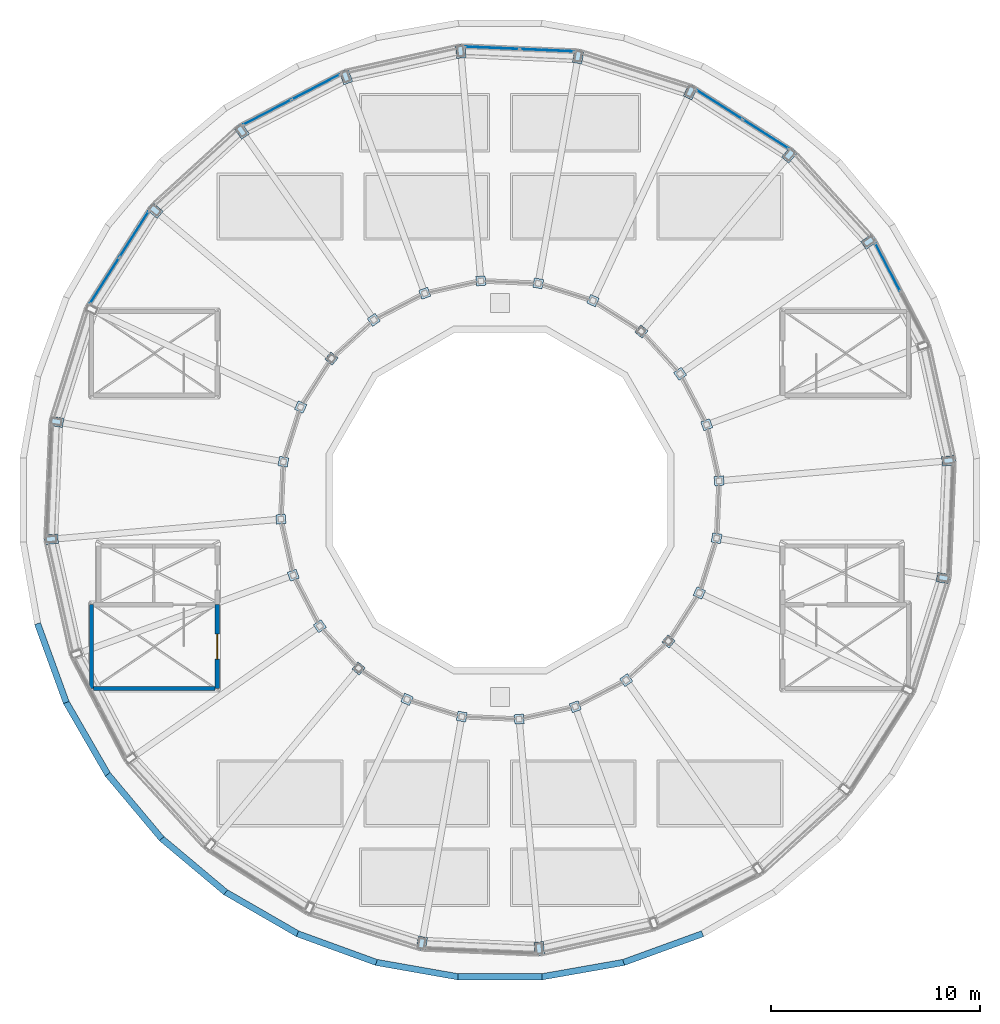
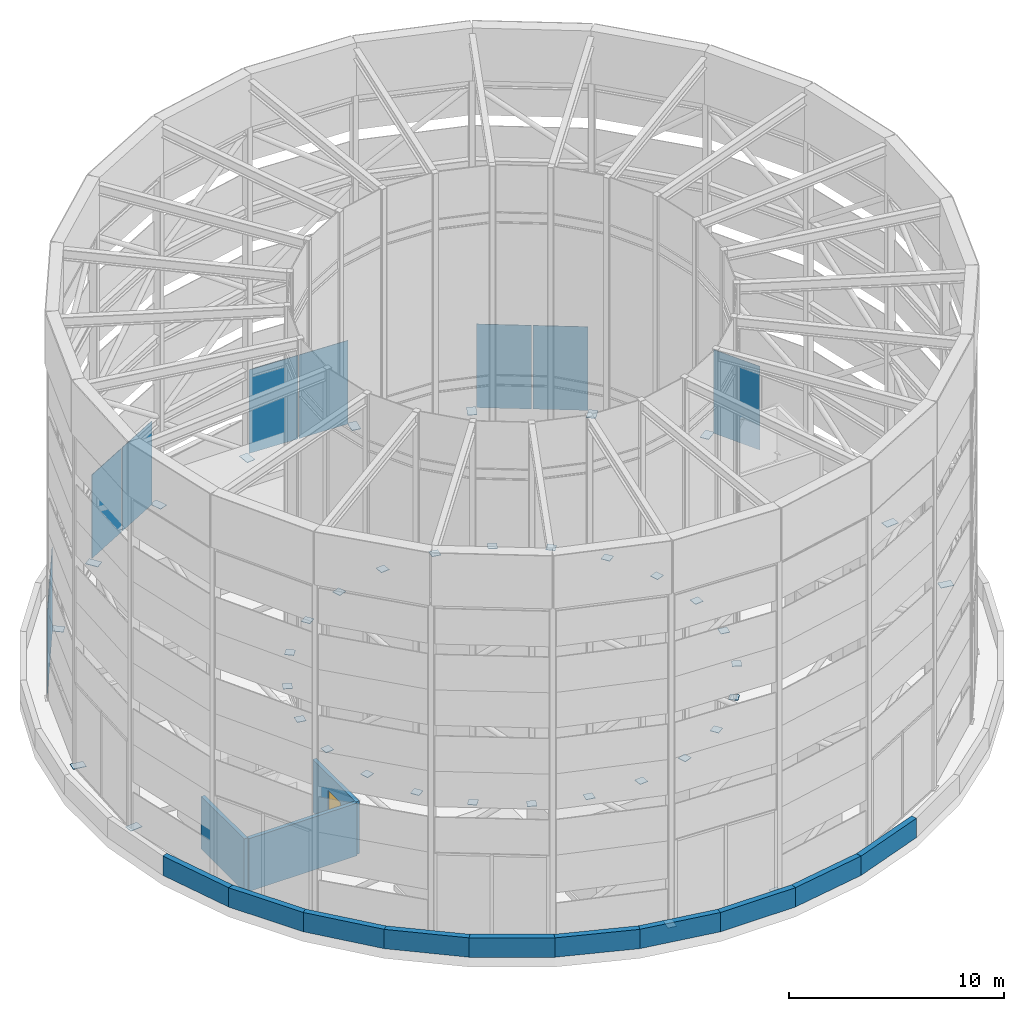
# One storey, part 14 of 20: 47 plates, 13 walls, 1 door, 1 opening, 5 elements without a shape of their own.
"""IFC4 building model written with IfcOpenShell, lengths in metres."""

from ifc_helpers import new_model, si_unit, direction, frame, frame_2d, origin, origin_2d, place, context, subcontext, project, spatial, polyline, rectangle, outline, extrude, material, layer, layer_set, type_object, element, fill, aggregate, save


model = new_model("IFC4")

# Units and contexts
model_context = context("Model", 3, precision=1e-05, world=origin(), true_north=direction((0.0, 1.0)))
body_context = subcontext(model_context, "Body", "Model", "MODEL_VIEW")
ifc_project = project(units=[si_unit("LENGTHUNIT", "METRE"), si_unit("AREAUNIT", "SQUARE_METRE"), si_unit("VOLUMEUNIT", "CUBIC_METRE"), si_unit("PLANEANGLEUNIT", "RADIAN"), si_unit("MASSUNIT", "GRAM", prefix="KILO")], contexts=[model_context])

# Site, building, storey
site_placement = place(None, origin())
site = spatial("IfcSite", under=ifc_project, at=site_placement, CompositionType="ELEMENT")
building_placement = place(site_placement, origin())
building = spatial("IfcBuilding", under=site, at=building_placement, Name="Saqina Gate Tower", CompositionType="ELEMENT")
storey_placement = place(building_placement, frame((0.0, 0.0, 284.199951171875)))
storey = spatial("IfcBuildingStorey", under=building, at=storey_placement, Name="RF", CompositionType="ELEMENT", Elevation=284.199951171875)

# Curtain wall, plate
ifc_material_1 = material(Name="Aluminium glazing", Category="aluminium")
ifc_layer_1 = layer(ifc_material_1, 0.159912109375)
ifc_layer_set_1 = layer_set([ifc_layer_1], Name="CWT-5")
curtain_wall_type = type_object("IfcCurtainWallType", Name="CWT-5", PredefinedType="NOTDEFINED", material=ifc_layer_set_1)
curtain_wall_1_placement = place(storey_placement, origin())
curtain_wall_1 = element("IfcCurtainWall", 1, at=curtain_wall_1_placement, inside=storey, type_object=curtain_wall_type, Name="Crown glazing bay 2", PredefinedType="NOTDEFINED")
ifc_material_2 = material(Name="Glass", Category="glass")
ifc_layer_2 = layer(ifc_material_2, 0.028076171875)
ifc_layer_set_2 = layer_set([ifc_layer_2], Name="CWT-5P")
plate_type_1 = type_object("IfcPlateType", Name="CWT-5P", PredefinedType="CURTAIN_PANEL", material=ifc_layer_set_2)
plate_1_placement = place(storey_placement, frame((18.50537109375, 11.11328125, 0.06005859375), z_axis=(0.0, 0.0, 1.0), x_axis=(-0.461751109849, 0.887009533519, 0.0)))
plate_1 = element("IfcPlate", 2, at=plate_1_placement, type_object=plate_type_1, Name="CW5-02 panel 2.1", PredefinedType="CURTAIN_PANEL", context=body_context, shape_type="SweptSolid", body=[
    extrude(rectangle(XDim=2.5654296875, YDim=0.028076171875, at=origin_2d()), origin(), (0.0, 0.0, 1.0), 4.7548828125),
])
aggregate(curtain_wall_1, [plate_1])

# Curtain wall, plates
curtain_wall_2_placement = place(storey_placement, origin())
curtain_wall_2 = element("IfcCurtainWall", 3, at=curtain_wall_2_placement, inside=storey, type_object=curtain_wall_type, Name="Crown glazing bay 4", PredefinedType="NOTDEFINED")
plate_2_placement = place(storey_placement, frame((12.683837890625, 17.466552734375, 0.06005859375), z_axis=(0.0, 0.0, 1.0), x_axis=(-0.843394662537, 0.537294559068, 0.0)))
plate_2 = element("IfcPlate", 4, at=plate_2_placement, type_object=plate_type_1, Name="CW5-04 panel 1.1", PredefinedType="CURTAIN_PANEL", context=body_context, shape_type="SweptSolid", body=[
    extrude(rectangle(XDim=2.5654296875, YDim=0.028076171875, at=origin_2d()), origin(), (0.0, 0.0, 1.0), 4.7548828125),
])
plate_3_placement = place(storey_placement, frame((10.469482421875, 18.877197265625, 0.06005859375), z_axis=(0.0, 0.0, 1.0), x_axis=(-0.843394662537, 0.537294559068, 0.0)))
plate_3 = element("IfcPlate", 5, at=plate_3_placement, type_object=plate_type_1, Name="CW5-04 panel 2.1", PredefinedType="CURTAIN_PANEL", context=body_context, shape_type="SweptSolid", body=[
    extrude(rectangle(XDim=2.5654296875, YDim=0.028076171875, at=origin_2d()), origin(), (0.0, 0.0, 1.0), 4.7548828125),
])
aggregate(curtain_wall_2, [plate_2, plate_3])

curtain_wall_3_placement = place(storey_placement, origin())
curtain_wall_3 = element("IfcCurtainWall", 6, at=curtain_wall_3_placement, inside=storey, type_object=curtain_wall_type, Name="Crown glazing bay 6", PredefinedType="NOTDEFINED")
plate_4_placement = place(storey_placement, frame((2.251220703125, 21.46826171875, 0.06005859375), z_axis=(0.0, 0.0, 1.0), x_axis=(-0.999047790721, 0.043629254589, 0.0)))
plate_4 = element("IfcPlate", 7, at=plate_4_placement, type_object=plate_type_1, Name="CW5-06 panel 1.1", PredefinedType="CURTAIN_PANEL", context=body_context, shape_type="SweptSolid", body=[
    extrude(rectangle(XDim=2.5654296875, YDim=0.028076171875, at=origin_2d()), origin(), (0.0, 0.0, 1.0), 4.7548828125),
])
plate_5_placement = place(storey_placement, frame((-0.37158203125, 21.582763671875, 0.06005859375), z_axis=(0.0, 0.0, 1.0), x_axis=(-0.999047790721, 0.043629254589, 0.0)))
plate_5 = element("IfcPlate", 8, at=plate_5_placement, type_object=plate_type_1, Name="CW5-06 panel 2.1", PredefinedType="CURTAIN_PANEL", context=body_context, shape_type="SweptSolid", body=[
    extrude(rectangle(XDim=2.5654296875, YDim=0.028076171875, at=origin_2d()), origin(), (0.0, 0.0, 1.0), 4.7548828125),
])
aggregate(curtain_wall_3, [plate_4, plate_5])

curtain_wall_4_placement = place(storey_placement, origin())
curtain_wall_4 = element("IfcCurtainWall", 9, at=curtain_wall_4_placement, inside=storey, type_object=curtain_wall_type, Name="Crown glazing bay 8", PredefinedType="NOTDEFINED")
plate_6_placement = place(storey_placement, frame((-8.78466796875, 19.7177734375, 0.06005859375), z_axis=(0.0, 0.0, 1.0), x_axis=(-0.887009533519, -0.461751109849, 0.0)))
plate_6 = element("IfcPlate", 10, at=plate_6_placement, type_object=plate_type_1, Name="CW5-08 panel 1.1", PredefinedType="CURTAIN_PANEL", context=body_context, shape_type="SweptSolid", body=[
    extrude(rectangle(XDim=2.5654296875, YDim=0.028076171875, at=origin_2d()), origin(), (0.0, 0.0, 1.0), 4.7548828125),
])
plate_7_placement = place(storey_placement, frame((-11.11328125, 18.50537109375, 0.06005859375), z_axis=(0.0, 0.0, 1.0), x_axis=(-0.887009533519, -0.461751109849, 0.0)))
plate_7 = element("IfcPlate", 11, at=plate_7_placement, type_object=plate_type_1, Name="CW5-08 panel 2.1", PredefinedType="CURTAIN_PANEL", context=body_context, shape_type="SweptSolid", body=[
    extrude(rectangle(XDim=2.5654296875, YDim=0.028076171875, at=origin_2d()), origin(), (0.0, 0.0, 1.0), 4.7548828125),
])
aggregate(curtain_wall_4, [plate_6, plate_7])

curtain_wall_5_placement = place(storey_placement, origin())
curtain_wall_5 = element("IfcCurtainWall", 12, at=curtain_wall_5_placement, inside=storey, type_object=curtain_wall_type, Name="Crown glazing bay 10", PredefinedType="NOTDEFINED")
plate_8_placement = place(storey_placement, frame((-17.466552734375, 12.683837890625, 0.06005859375), z_axis=(0.0, 0.0, 1.0), x_axis=(-0.537294559068, -0.843394662537, 0.0)))
plate_8 = element("IfcPlate", 13, at=plate_8_placement, type_object=plate_type_1, Name="CW5-10 panel 1.1", PredefinedType="CURTAIN_PANEL", context=body_context, shape_type="SweptSolid", body=[
    extrude(rectangle(XDim=2.5654296875, YDim=0.028076171875, at=origin_2d()), origin(), (0.0, 0.0, 1.0), 4.7548828125),
])
plate_9_placement = place(storey_placement, frame((-18.877197265625, 10.469482421875, 0.06005859375), z_axis=(0.0, 0.0, 1.0), x_axis=(-0.537294559068, -0.843394662537, 0.0)))
plate_9 = element("IfcPlate", 14, at=plate_9_placement, type_object=plate_type_1, Name="CW5-10 panel 2.1", PredefinedType="CURTAIN_PANEL", context=body_context, shape_type="SweptSolid", body=[
    extrude(rectangle(XDim=2.5654296875, YDim=0.028076171875, at=origin_2d()), origin(), (0.0, 0.0, 1.0), 4.7548828125),
])
aggregate(curtain_wall_5, [plate_8, plate_9])

# Plates
ifc_material_3 = material(Name="Steel S460", Category="steel")
ifc_layer_3 = layer(ifc_material_3, 0.02490234375)
ifc_layer_set_3 = layer_set([ifc_layer_3], Name="Steel S460")
plate_type_2 = type_object("IfcPlateType", Name="STR-BASE PLATE-CROWN INNER", PredefinedType="USERDEFINED", material=ifc_layer_set_3)
plate_10_placement = place(storey_placement, origin())
element("IfcPlate", 15, at=plate_10_placement, inside=storey, type_object=plate_type_2, Name="CROWN INNER COLUMN BASE PLATE 01", ObjectType="BASE PLATE", PredefinedType="USERDEFINED", context=body_context, shape_type="SweptSolid", body=[
    extrude(outline(polyline([(10.703857421875, 0.710693359375), (10.66455078125, 1.158935546875), (10.21630859375, 1.11962890625), (10.255615234375, 0.67138671875), (10.703857421875, 0.710693359375)])), origin(), (0.0, 0.0, 1.0), 0.025146484375),
])
plate_11_placement = place(storey_placement, origin())
element("IfcPlate", 16, at=plate_11_placement, inside=storey, type_object=plate_type_2, Name="CROWN INNER COLUMN BASE PLATE 02", ObjectType="BASE PLATE", PredefinedType="USERDEFINED", context=body_context, shape_type="SweptSolid", body=[
    extrude(outline(polyline([(10.1552734375, 3.456787109375), (10.001220703125, 3.879638671875), (9.578369140625, 3.7255859375), (9.732177734375, 3.302734375), (10.1552734375, 3.456787109375)])), origin(), (0.0, 0.0, 1.0), 0.025146484375),
])
plate_12_placement = place(storey_placement, origin())
element("IfcPlate", 17, at=plate_12_placement, inside=storey, type_object=plate_type_2, Name="CROWN INNER COLUMN BASE PLATE 03", ObjectType="BASE PLATE", PredefinedType="USERDEFINED", context=body_context, shape_type="SweptSolid", body=[
    extrude(outline(polyline([(8.91455078125, 5.96728515625), (8.65625, 6.3359375), (8.287841796875, 6.077880859375), (8.5458984375, 5.709228515625), (8.91455078125, 5.96728515625)])), origin(), (0.0, 0.0, 1.0), 0.025146484375),
])
plate_13_placement = place(storey_placement, origin())
element("IfcPlate", 18, at=plate_13_placement, inside=storey, type_object=plate_type_2, Name="CROWN INNER COLUMN BASE PLATE 04", ObjectType="BASE PLATE", PredefinedType="USERDEFINED", context=body_context, shape_type="SweptSolid", body=[
    extrude(outline(polyline([(7.066162109375, 8.0712890625), (6.721435546875, 8.3603515625), (6.432373046875, 8.015625), (6.777099609375, 7.7265625), (7.066162109375, 8.0712890625)])), origin(), (0.0, 0.0, 1.0), 0.025146484375),
])
plate_14_placement = place(storey_placement, origin())
element("IfcPlate", 19, at=plate_14_placement, inside=storey, type_object=plate_type_2, Name="CROWN INNER COLUMN BASE PLATE 05", ObjectType="BASE PLATE", PredefinedType="USERDEFINED", context=body_context, shape_type="SweptSolid", body=[
    extrude(outline(polyline([(4.736572265625, 9.625), (4.32861328125, 9.815185546875), (4.138427734375, 9.407470703125), (4.54638671875, 9.21728515625), (4.736572265625, 9.625)])), origin(), (0.0, 0.0, 1.0), 0.025146484375),
])
plate_15_placement = place(storey_placement, origin())
element("IfcPlate", 20, at=plate_15_placement, inside=storey, type_object=plate_type_2, Name="CROWN INNER COLUMN BASE PLATE 06", ObjectType="BASE PLATE", PredefinedType="USERDEFINED", context=body_context, shape_type="SweptSolid", body=[
    extrude(outline(polyline([(2.083984375, 10.52294921875), (1.640869140625, 10.60107421875), (1.562744140625, 10.157958984375), (2.005859375, 10.079833984375), (2.083984375, 10.52294921875)])), origin(), (0.0, 0.0, 1.0), 0.025146484375),
])
plate_16_placement = place(storey_placement, origin())
element("IfcPlate", 21, at=plate_16_placement, inside=storey, type_object=plate_type_2, Name="CROWN INNER COLUMN BASE PLATE 07", ObjectType="BASE PLATE", PredefinedType="USERDEFINED", context=body_context, shape_type="SweptSolid", body=[
    extrude(outline(polyline([(-0.710693359375, 10.703857421875), (-1.158935546875, 10.66455078125), (-1.11962890625, 10.21630859375), (-0.67138671875, 10.255615234375), (-0.710693359375, 10.703857421875)])), origin(), (0.0, 0.0, 1.0), 0.025146484375),
])
plate_17_placement = place(storey_placement, origin())
element("IfcPlate", 22, at=plate_17_placement, inside=storey, type_object=plate_type_2, Name="CROWN INNER COLUMN BASE PLATE 08", ObjectType="BASE PLATE", PredefinedType="USERDEFINED", context=body_context, shape_type="SweptSolid", body=[
    extrude(outline(polyline([(-3.456787109375, 10.1552734375), (-3.879638671875, 10.001220703125), (-3.7255859375, 9.578369140625), (-3.302734375, 9.732177734375), (-3.456787109375, 10.1552734375)])), origin(), (0.0, 0.0, 1.0), 0.025146484375),
])
plate_18_placement = place(storey_placement, origin())
element("IfcPlate", 23, at=plate_18_placement, inside=storey, type_object=plate_type_2, Name="CROWN INNER COLUMN BASE PLATE 09", ObjectType="BASE PLATE", PredefinedType="USERDEFINED", context=body_context, shape_type="SweptSolid", body=[
    extrude(outline(polyline([(-5.96728515625, 8.91455078125), (-6.3359375, 8.65625), (-6.077880859375, 8.287841796875), (-5.709228515625, 8.5458984375), (-5.96728515625, 8.91455078125)])), origin(), (0.0, 0.0, 1.0), 0.025146484375),
])
plate_19_placement = place(storey_placement, origin())
element("IfcPlate", 24, at=plate_19_placement, inside=storey, type_object=plate_type_2, Name="CROWN INNER COLUMN BASE PLATE 10", ObjectType="BASE PLATE", PredefinedType="USERDEFINED", context=body_context, shape_type="SweptSolid", body=[
    extrude(outline(polyline([(-8.0712890625, 7.066162109375), (-8.3603515625, 6.721435546875), (-8.015625, 6.432373046875), (-7.7265625, 6.777099609375), (-8.0712890625, 7.066162109375)])), origin(), (0.0, 0.0, 1.0), 0.025146484375),
])
plate_20_placement = place(storey_placement, origin())
element("IfcPlate", 25, at=plate_20_placement, inside=storey, type_object=plate_type_2, Name="CROWN INNER COLUMN BASE PLATE 11", ObjectType="BASE PLATE", PredefinedType="USERDEFINED", context=body_context, shape_type="SweptSolid", body=[
    extrude(outline(polyline([(-9.625, 4.736572265625), (-9.815185546875, 4.32861328125), (-9.407470703125, 4.138427734375), (-9.21728515625, 4.54638671875), (-9.625, 4.736572265625)])), origin(), (0.0, 0.0, 1.0), 0.025146484375),
])
plate_21_placement = place(storey_placement, origin())
element("IfcPlate", 26, at=plate_21_placement, inside=storey, type_object=plate_type_2, Name="CROWN INNER COLUMN BASE PLATE 12", ObjectType="BASE PLATE", PredefinedType="USERDEFINED", context=body_context, shape_type="SweptSolid", body=[
    extrude(outline(polyline([(-10.52294921875, 2.083984375), (-10.60107421875, 1.640869140625), (-10.157958984375, 1.562744140625), (-10.079833984375, 2.005859375), (-10.52294921875, 2.083984375)])), origin(), (0.0, 0.0, 1.0), 0.025146484375),
])
plate_22_placement = place(storey_placement, origin())
element("IfcPlate", 27, at=plate_22_placement, inside=storey, type_object=plate_type_2, Name="CROWN INNER COLUMN BASE PLATE 13", ObjectType="BASE PLATE", PredefinedType="USERDEFINED", context=body_context, shape_type="SweptSolid", body=[
    extrude(outline(polyline([(-10.703857421875, -0.710693359375), (-10.66455078125, -1.158935546875), (-10.21630859375, -1.11962890625), (-10.255615234375, -0.67138671875), (-10.703857421875, -0.710693359375)])), origin(), (0.0, 0.0, 1.0), 0.025146484375),
])
plate_23_placement = place(storey_placement, origin())
element("IfcPlate", 28, at=plate_23_placement, inside=storey, type_object=plate_type_2, Name="CROWN INNER COLUMN BASE PLATE 14", ObjectType="BASE PLATE", PredefinedType="USERDEFINED", context=body_context, shape_type="SweptSolid", body=[
    extrude(outline(polyline([(-10.1552734375, -3.456787109375), (-10.001220703125, -3.879638671875), (-9.578369140625, -3.7255859375), (-9.732177734375, -3.302734375), (-10.1552734375, -3.456787109375)])), origin(), (0.0, 0.0, 1.0), 0.025146484375),
])
plate_24_placement = place(storey_placement, origin())
element("IfcPlate", 29, at=plate_24_placement, inside=storey, type_object=plate_type_2, Name="CROWN INNER COLUMN BASE PLATE 15", ObjectType="BASE PLATE", PredefinedType="USERDEFINED", context=body_context, shape_type="SweptSolid", body=[
    extrude(outline(polyline([(-8.91455078125, -5.96728515625), (-8.65625, -6.3359375), (-8.287841796875, -6.077880859375), (-8.5458984375, -5.709228515625), (-8.91455078125, -5.96728515625)])), origin(), (0.0, 0.0, 1.0), 0.025146484375),
])
plate_25_placement = place(storey_placement, origin())
element("IfcPlate", 30, at=plate_25_placement, inside=storey, type_object=plate_type_2, Name="CROWN INNER COLUMN BASE PLATE 16", ObjectType="BASE PLATE", PredefinedType="USERDEFINED", context=body_context, shape_type="SweptSolid", body=[
    extrude(outline(polyline([(-7.066162109375, -8.0712890625), (-6.721435546875, -8.3603515625), (-6.432373046875, -8.015625), (-6.777099609375, -7.7265625), (-7.066162109375, -8.0712890625)])), origin(), (0.0, 0.0, 1.0), 0.025146484375),
])
plate_26_placement = place(storey_placement, origin())
element("IfcPlate", 31, at=plate_26_placement, inside=storey, type_object=plate_type_2, Name="CROWN INNER COLUMN BASE PLATE 17", ObjectType="BASE PLATE", PredefinedType="USERDEFINED", context=body_context, shape_type="SweptSolid", body=[
    extrude(outline(polyline([(-4.736572265625, -9.625), (-4.32861328125, -9.815185546875), (-4.138427734375, -9.407470703125), (-4.54638671875, -9.21728515625), (-4.736572265625, -9.625)])), origin(), (0.0, 0.0, 1.0), 0.025146484375),
])
plate_27_placement = place(storey_placement, origin())
element("IfcPlate", 32, at=plate_27_placement, inside=storey, type_object=plate_type_2, Name="CROWN INNER COLUMN BASE PLATE 18", ObjectType="BASE PLATE", PredefinedType="USERDEFINED", context=body_context, shape_type="SweptSolid", body=[
    extrude(outline(polyline([(-2.083984375, -10.52294921875), (-1.640869140625, -10.60107421875), (-1.562744140625, -10.157958984375), (-2.005859375, -10.079833984375), (-2.083984375, -10.52294921875)])), origin(), (0.0, 0.0, 1.0), 0.025146484375),
])
plate_28_placement = place(storey_placement, origin())
element("IfcPlate", 33, at=plate_28_placement, inside=storey, type_object=plate_type_2, Name="CROWN INNER COLUMN BASE PLATE 19", ObjectType="BASE PLATE", PredefinedType="USERDEFINED", context=body_context, shape_type="SweptSolid", body=[
    extrude(outline(polyline([(0.710693359375, -10.703857421875), (1.158935546875, -10.66455078125), (1.11962890625, -10.21630859375), (0.67138671875, -10.255615234375), (0.710693359375, -10.703857421875)])), origin(), (0.0, 0.0, 1.0), 0.025146484375),
])
plate_29_placement = place(storey_placement, origin())
element("IfcPlate", 34, at=plate_29_placement, inside=storey, type_object=plate_type_2, Name="CROWN INNER COLUMN BASE PLATE 20", ObjectType="BASE PLATE", PredefinedType="USERDEFINED", context=body_context, shape_type="SweptSolid", body=[
    extrude(outline(polyline([(3.456787109375, -10.1552734375), (3.879638671875, -10.001220703125), (3.7255859375, -9.578369140625), (3.302734375, -9.732177734375), (3.456787109375, -10.1552734375)])), origin(), (0.0, 0.0, 1.0), 0.025146484375),
])
plate_30_placement = place(storey_placement, origin())
element("IfcPlate", 35, at=plate_30_placement, inside=storey, type_object=plate_type_2, Name="CROWN INNER COLUMN BASE PLATE 21", ObjectType="BASE PLATE", PredefinedType="USERDEFINED", context=body_context, shape_type="SweptSolid", body=[
    extrude(outline(polyline([(5.96728515625, -8.91455078125), (6.3359375, -8.65625), (6.077880859375, -8.287841796875), (5.709228515625, -8.5458984375), (5.96728515625, -8.91455078125)])), origin(), (0.0, 0.0, 1.0), 0.025146484375),
])
plate_31_placement = place(storey_placement, origin())
element("IfcPlate", 36, at=plate_31_placement, inside=storey, type_object=plate_type_2, Name="CROWN INNER COLUMN BASE PLATE 22", ObjectType="BASE PLATE", PredefinedType="USERDEFINED", context=body_context, shape_type="SweptSolid", body=[
    extrude(outline(polyline([(8.0712890625, -7.066162109375), (8.3603515625, -6.721435546875), (8.015625, -6.432373046875), (7.7265625, -6.777099609375), (8.0712890625, -7.066162109375)])), origin(), (0.0, 0.0, 1.0), 0.025146484375),
])
plate_32_placement = place(storey_placement, origin())
element("IfcPlate", 37, at=plate_32_placement, inside=storey, type_object=plate_type_2, Name="CROWN INNER COLUMN BASE PLATE 23", ObjectType="BASE PLATE", PredefinedType="USERDEFINED", context=body_context, shape_type="SweptSolid", body=[
    extrude(outline(polyline([(9.625, -4.736572265625), (9.815185546875, -4.32861328125), (9.407470703125, -4.138427734375), (9.21728515625, -4.54638671875), (9.625, -4.736572265625)])), origin(), (0.0, 0.0, 1.0), 0.025146484375),
])
plate_33_placement = place(storey_placement, origin())
element("IfcPlate", 38, at=plate_33_placement, inside=storey, type_object=plate_type_2, Name="CROWN INNER COLUMN BASE PLATE 24", ObjectType="BASE PLATE", PredefinedType="USERDEFINED", context=body_context, shape_type="SweptSolid", body=[
    extrude(outline(polyline([(10.52294921875, -2.083984375), (10.60107421875, -1.640869140625), (10.157958984375, -1.562744140625), (10.079833984375, -2.005859375), (10.52294921875, -2.083984375)])), origin(), (0.0, 0.0, 1.0), 0.025146484375),
])
ifc_material_4 = material(Name="Steel S460", Category="steel")
ifc_layer_4 = layer(ifc_material_4, 0.02490234375)
ifc_layer_set_4 = layer_set([ifc_layer_4], Name="Steel S460")
plate_type_3 = type_object("IfcPlateType", Name="STR-BASE PLATE-CROWN OUTER", PredefinedType="USERDEFINED", material=ifc_layer_set_4)
plate_34_placement = place(storey_placement, origin())
element("IfcPlate", 39, at=plate_34_placement, inside=storey, type_object=plate_type_3, Name="CROWN COLUMN BASE PLATE 01", ObjectType="BASE PLATE", PredefinedType="USERDEFINED", context=body_context, shape_type="SweptSolid", body=[
    extrude(outline(polyline([(21.761474609375, 1.677978515625), (21.722412109375, 2.126220703125), (21.07470703125, 2.069580078125), (21.114013671875, 1.621337890625), (21.761474609375, 1.677978515625)])), origin(), (0.0, 0.0, 1.0), 0.025146484375),
])
plate_35_placement = place(storey_placement, origin())
element("IfcPlate", 40, at=plate_35_placement, inside=storey, type_object=plate_type_3, Name="CROWN COLUMN BASE PLATE 03", ObjectType="BASE PLATE", PredefinedType="USERDEFINED", context=body_context, shape_type="SweptSolid", body=[
    extrude(outline(polyline([(18.007080078125, 12.333984375), (17.7490234375, 12.70263671875), (17.216552734375, 12.329833984375), (17.474609375, 11.961181640625), (18.007080078125, 12.333984375)])), origin(), (0.0, 0.0, 1.0), 0.025146484375),
])
plate_36_placement = place(storey_placement, origin())
element("IfcPlate", 41, at=plate_36_placement, inside=storey, type_object=plate_type_3, Name="CROWN COLUMN BASE PLATE 04", ObjectType="BASE PLATE", PredefinedType="USERDEFINED", context=body_context, shape_type="SweptSolid", body=[
    extrude(outline(polyline([(14.201171875, 16.57421875), (13.8564453125, 16.863525390625), (13.438720703125, 16.36572265625), (13.783447265625, 16.076416015625), (14.201171875, 16.57421875)])), origin(), (0.0, 0.0, 1.0), 0.025146484375),
])
plate_37_placement = place(storey_placement, origin())
element("IfcPlate", 42, at=plate_37_placement, inside=storey, type_object=plate_type_3, Name="CROWN COLUMN BASE PLATE 05", ObjectType="BASE PLATE", PredefinedType="USERDEFINED", context=body_context, shape_type="SweptSolid", body=[
    extrude(outline(polyline([(9.427490234375, 19.68505859375), (9.019775390625, 19.875244140625), (8.7451171875, 19.2861328125), (9.15283203125, 19.095947265625), (9.427490234375, 19.68505859375)])), origin(), (0.0, 0.0, 1.0), 0.025146484375),
])
plate_38_placement = place(storey_placement, origin())
element("IfcPlate", 43, at=plate_38_placement, inside=storey, type_object=plate_type_3, Name="CROWN COLUMN BASE PLATE 06", ObjectType="BASE PLATE", PredefinedType="USERDEFINED", context=body_context, shape_type="SweptSolid", body=[
    extrude(outline(polyline([(4.011474609375, 21.454345703125), (3.568359375, 21.532470703125), (3.455322265625, 20.892333984375), (3.898681640625, 20.814208984375), (4.011474609375, 21.454345703125)])), origin(), (0.0, 0.0, 1.0), 0.025146484375),
])
plate_39_placement = place(storey_placement, origin())
element("IfcPlate", 44, at=plate_39_placement, inside=storey, type_object=plate_type_3, Name="CROWN COLUMN BASE PLATE 07", ObjectType="BASE PLATE", PredefinedType="USERDEFINED", context=body_context, shape_type="SweptSolid", body=[
    extrude(outline(polyline([(-1.677978515625, 21.761474609375), (-2.126220703125, 21.722412109375), (-2.069580078125, 21.07470703125), (-1.621337890625, 21.114013671875), (-1.677978515625, 21.761474609375)])), origin(), (0.0, 0.0, 1.0), 0.025146484375),
])
plate_40_placement = place(storey_placement, origin())
element("IfcPlate", 45, at=plate_40_placement, inside=storey, type_object=plate_type_3, Name="CROWN COLUMN BASE PLATE 08", ObjectType="BASE PLATE", PredefinedType="USERDEFINED", context=body_context, shape_type="SweptSolid", body=[
    extrude(outline(polyline([(-7.253173828125, 20.585693359375), (-7.676025390625, 20.431884765625), (-7.45361328125, 19.821044921875), (-7.03076171875, 19.974853515625), (-7.253173828125, 20.585693359375)])), origin(), (0.0, 0.0, 1.0), 0.025146484375),
])
plate_41_placement = place(storey_placement, origin())
element("IfcPlate", 46, at=plate_41_placement, inside=storey, type_object=plate_type_3, Name="CROWN COLUMN BASE PLATE 09", ObjectType="BASE PLATE", PredefinedType="USERDEFINED", context=body_context, shape_type="SweptSolid", body=[
    extrude(outline(polyline([(-12.333984375, 18.007080078125), (-12.70263671875, 17.7490234375), (-12.329833984375, 17.216552734375), (-11.961181640625, 17.474609375), (-12.333984375, 18.007080078125)])), origin(), (0.0, 0.0, 1.0), 0.025146484375),
])
plate_42_placement = place(storey_placement, origin())
element("IfcPlate", 47, at=plate_42_placement, inside=storey, type_object=plate_type_3, Name="CROWN COLUMN BASE PLATE 10", ObjectType="BASE PLATE", PredefinedType="USERDEFINED", context=body_context, shape_type="SweptSolid", body=[
    extrude(outline(polyline([(-16.57421875, 14.201171875), (-16.863525390625, 13.8564453125), (-16.36572265625, 13.438720703125), (-16.076416015625, 13.783447265625), (-16.57421875, 14.201171875)])), origin(), (0.0, 0.0, 1.0), 0.025146484375),
])
plate_43_placement = place(storey_placement, origin())
element("IfcPlate", 48, at=plate_43_placement, inside=storey, type_object=plate_type_3, Name="CROWN COLUMN BASE PLATE 12", ObjectType="BASE PLATE", PredefinedType="USERDEFINED", context=body_context, shape_type="SweptSolid", body=[
    extrude(outline(polyline([(-21.454345703125, 4.011474609375), (-21.532470703125, 3.568359375), (-20.892333984375, 3.455322265625), (-20.814208984375, 3.898681640625), (-21.454345703125, 4.011474609375)])), origin(), (0.0, 0.0, 1.0), 0.025146484375),
])
plate_44_placement = place(storey_placement, origin())
element("IfcPlate", 49, at=plate_44_placement, inside=storey, type_object=plate_type_3, Name="CROWN COLUMN BASE PLATE 13", ObjectType="BASE PLATE", PredefinedType="USERDEFINED", context=body_context, shape_type="SweptSolid", body=[
    extrude(outline(polyline([(-21.761474609375, -1.677978515625), (-21.722412109375, -2.126220703125), (-21.07470703125, -2.069580078125), (-21.114013671875, -1.621337890625), (-21.761474609375, -1.677978515625)])), origin(), (0.0, 0.0, 1.0), 0.025146484375),
])
plate_45_placement = place(storey_placement, origin())
element("IfcPlate", 50, at=plate_45_placement, inside=storey, type_object=plate_type_3, Name="CROWN COLUMN BASE PLATE 18", ObjectType="BASE PLATE", PredefinedType="USERDEFINED", context=body_context, shape_type="SweptSolid", body=[
    extrude(outline(polyline([(-4.011474609375, -21.454345703125), (-3.568359375, -21.532470703125), (-3.455322265625, -20.892333984375), (-3.898681640625, -20.814208984375), (-4.011474609375, -21.454345703125)])), origin(), (0.0, 0.0, 1.0), 0.025146484375),
])
plate_46_placement = place(storey_placement, origin())
element("IfcPlate", 51, at=plate_46_placement, inside=storey, type_object=plate_type_3, Name="CROWN COLUMN BASE PLATE 19", ObjectType="BASE PLATE", PredefinedType="USERDEFINED", context=body_context, shape_type="SweptSolid", body=[
    extrude(outline(polyline([(1.677978515625, -21.761474609375), (2.126220703125, -21.722412109375), (2.069580078125, -21.07470703125), (1.621337890625, -21.114013671875), (1.677978515625, -21.761474609375)])), origin(), (0.0, 0.0, 1.0), 0.025146484375),
])
plate_47_placement = place(storey_placement, origin())
element("IfcPlate", 52, at=plate_47_placement, inside=storey, type_object=plate_type_3, Name="CROWN COLUMN BASE PLATE 24", ObjectType="BASE PLATE", PredefinedType="USERDEFINED", context=body_context, shape_type="SweptSolid", body=[
    extrude(outline(polyline([(21.454345703125, -4.011474609375), (21.532470703125, -3.568359375), (20.892333984375, -3.455322265625), (20.814208984375, -3.898681640625), (21.454345703125, -4.011474609375)])), origin(), (0.0, 0.0, 1.0), 0.025146484375),
])

# Wall, opening, door
ifc_material_5 = material(Name="Concrete C40/50", Category="concrete")
ifc_layer_5 = layer(ifc_material_5, 0.199951171875)
ifc_layer_set_5 = layer_set([ifc_layer_5], Name="Concrete C40/50")
wall_type_1 = type_object("IfcWallType", Name="HEAD HOUSE WALL", PredefinedType="SOLIDWALL", material=ifc_layer_set_5)
wall_1_placement = place(storey_placement, frame((-13.5, -9.0, 0.0), z_axis=(0.0, 0.0, 1.0), x_axis=(0.0, 1.0, 0.0)))
wall_1 = element("IfcWall", 53, at=wall_1_placement, inside=storey, type_object=wall_type_1, Name="STAIR HEAD HOUSE WALL WS", PredefinedType="SOLIDWALL", context=body_context, shape_type="SweptSolid", body=[
    extrude(rectangle(XDim=4.0, YDim=0.199951171875, at=frame_2d((2.0, 0.0))), origin(), (0.0, 0.0, 1.0), 3.0),
])
opening_placement = place(wall_1_placement, frame((1.39990234375, 0.0, 0.0)))
opening = element("IfcOpeningElement", 54, at=opening_placement, cuts=wall_1, Name="Opening RF-D93", PredefinedType="OPENING", context=body_context, shape_type="SweptSolid", body=[
    extrude(rectangle(XDim=1.199951171875, YDim=2.10009765625, at=frame_2d((0.60009765625, 1.050048828125))), frame((0.0, 0.112060546875, 0.0), z_axis=(0.0, -1.0, 0.0), x_axis=(1.0, 0.0, 0.0)), (0.0, 0.0, 1.0), 0.223876953125),
])
ifc_material_6 = material(Name="Steel", Category="steel")
door_type = type_object("IfcDoorType", Name="FIRE DOOR EI 60", OperationType="SINGLE_SWING_LEFT", PredefinedType="DOOR", material=ifc_material_6)
door_placement = place(opening_placement, frame((1.199951171875, 0.0, 0.0), z_axis=(0.0, 0.0, 1.0), x_axis=(-1.0, 0.0, 0.0)))
door = element("IfcDoor", 55, at=door_placement, inside=storey, type_object=door_type, Name="STAIR HEAD HOUSE DOOR", OperationType="SINGLE_SWING_RIGHT", OverallHeight=2.10009765625, OverallWidth=1.199951171875, PredefinedType="DOOR", context=body_context, shape_type="SweptSolid", body=[
    extrude(rectangle(XDim=1.199951171875, YDim=2.10009765625, at=frame_2d((0.60009765625, 1.050048828125))), frame((0.0, 0.02490234375, 0.0), z_axis=(0.0, -1.0, 0.0), x_axis=(1.0, 0.0, 0.0)), (0.0, 0.0, 1.0), 0.050048828125),
])
fill(opening, door)

# Walls
wall_2_placement = place(storey_placement, frame((-19.5, -9.0, 0.0), z_axis=(0.0, 0.0, 1.0), x_axis=(0.0, 1.0, 0.0)))
element("IfcWall", 56, at=wall_2_placement, inside=storey, type_object=wall_type_1, Name="STAIR HEAD HOUSE WALL WS", PredefinedType="SOLIDWALL", context=body_context, shape_type="SweptSolid", body=[
    extrude(rectangle(XDim=4.0, YDim=0.199951171875, at=frame_2d((2.0, 0.0))), origin(), (0.0, 0.0, 1.0), 3.0),
])
wall_3_placement = place(storey_placement, frame((-13.60009765625, -9.0, 0.0), z_axis=(0.0, 0.0, 1.0), x_axis=(-1.0, 0.0, 0.0)))
element("IfcWall", 57, at=wall_3_placement, inside=storey, type_object=wall_type_1, Name="STAIR HEAD HOUSE WALL WS", PredefinedType="SOLIDWALL", context=body_context, shape_type="SweptSolid", body=[
    extrude(rectangle(XDim=5.7998046875, YDim=0.199951171875, at=frame_2d((2.89990234375, 0.0))), origin(), (0.0, 0.0, 1.0), 3.0),
])
ifc_material_7 = material(Name="Brick masonry (buff)", Category="masonry")
ifc_layer_6 = layer(ifc_material_7, 0.300048828125)
ifc_layer_set_6 = layer_set([ifc_layer_6], Name="PA-ROOF")
wall_type_2 = type_object("IfcWallType", Name="PA-ROOF", PredefinedType="PARAPET", material=ifc_layer_set_6)
for number, where, z_axis, x_axis, name in (
    (58, (-22.0751953125, -5.901611328125, 0.0), (0.0, 0.0, 1.0), (0.341997306485, -0.939700932402, 0.0), "Parapet RF edge 20"),
    (59, (-20.715087890625, -9.645263671875, 0.0), (0.0, 0.0, 1.0), (0.499977246076, -0.86603854037, 0.0), "Parapet RF edge 21"),
):
    element("IfcWall", number, at=place(storey_placement, frame(where, z_axis=z_axis, x_axis=x_axis)), inside=storey, type_object=wall_type_2, Name=name, PredefinedType="PARAPET", context=body_context, shape_type="SweptSolid", body=[
        extrude(rectangle(XDim=4.009033203125, YDim=0.300048828125, at=frame_2d((2.00439453125, 0.0))), origin(), (0.0, 0.0, 1.0), 1.10009765625),
    ])
for number, where, z_axis, x_axis, name in (
    (60, (-18.7255859375, -13.095703125, 0.0), (0.0, 0.0, 1.0), (0.642792134995, -0.766040645911, 0.0), "Parapet RF edge 22"),
    (61, (-16.1669921875, -16.1484375, 0.0), (0.0, 0.0, 1.0), (0.766040645911, -0.642792134995, 0.0), "Parapet RF edge 23"),
):
    element("IfcWall", number, at=place(storey_placement, frame(where, z_axis=z_axis, x_axis=x_axis)), inside=storey, type_object=wall_type_2, Name=name, PredefinedType="PARAPET", context=body_context, shape_type="SweptSolid", body=[
        extrude(rectangle(XDim=4.00927734375, YDim=0.300048828125, at=frame_2d((2.004638671875, 0.0))), origin(), (0.0, 0.0, 1.0), 1.10009765625),
    ])
for number, where, z_axis, x_axis, name in (
    (62, (-13.1171875, -18.710693359375, 0.0), (0.0, 0.0, 1.0), (0.86603854037, -0.499977246076, 0.0), "Parapet RF edge 24"),
    (63, (-9.6689453125, -20.7041015625, 0.0), (0.0, 0.0, 1.0), (0.939700932402, -0.341997306485, 0.0), "Parapet RF edge 25"),
):
    element("IfcWall", number, at=place(storey_placement, frame(where, z_axis=z_axis, x_axis=x_axis)), inside=storey, type_object=wall_type_2, Name=name, PredefinedType="PARAPET", context=body_context, shape_type="SweptSolid", body=[
        extrude(rectangle(XDim=4.009033203125, YDim=0.300048828125, at=frame_2d((2.00439453125, 0.0))), origin(), (0.0, 0.0, 1.0), 1.10009765625),
    ])
for number, where, z_axis, x_axis, name in (
    (64, (-5.9267578125, -22.068603515625, 0.0), (0.0, 0.0, 1.0), (0.984803169909, -0.173674167733, 0.0), "Parapet RF edge 26"),
    (65, (-2.004638671875, -22.762451171875, 0.0), (0.0, 0.0, 1.0), (1.0, 0.0, 0.0), "Parapet RF edge 27"),
    (66, (1.978515625, -22.764892578125, 0.0), (0.0, 0.0, 1.0), (0.984803169909, 0.173674167733, 0.0), "Parapet RF edge 28"),
):
    element("IfcWall", number, at=place(storey_placement, frame(where, z_axis=z_axis, x_axis=x_axis)), inside=storey, type_object=wall_type_2, Name=name, PredefinedType="PARAPET", context=body_context, shape_type="SweptSolid", body=[
        extrude(rectangle(XDim=4.00927734375, YDim=0.300048828125, at=frame_2d((2.004638671875, 0.0))), origin(), (0.0, 0.0, 1.0), 1.10009765625),
    ])
wall_4_placement = place(storey_placement, frame((5.901611328125, -22.0751953125, 0.0), z_axis=(0.0, 0.0, 1.0), x_axis=(0.939700932402, 0.341997306485, 0.0)))
element("IfcWall", 67, at=wall_4_placement, inside=storey, type_object=wall_type_2, Name="Parapet RF edge 29", PredefinedType="PARAPET", context=body_context, shape_type="SweptSolid", body=[
    extrude(rectangle(XDim=4.009033203125, YDim=0.300048828125, at=frame_2d((2.00439453125, 0.0))), origin(), (0.0, 0.0, 1.0), 1.10009765625),
])

save(model, "model.ifc")
